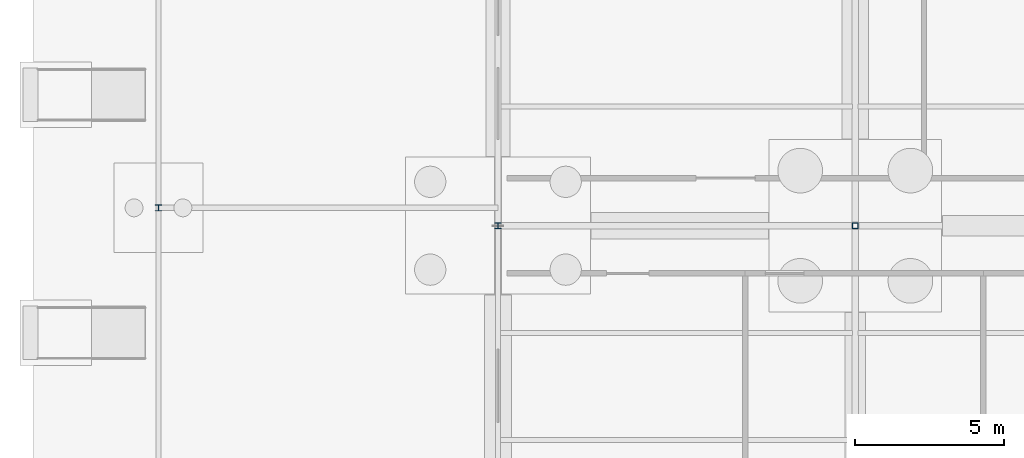
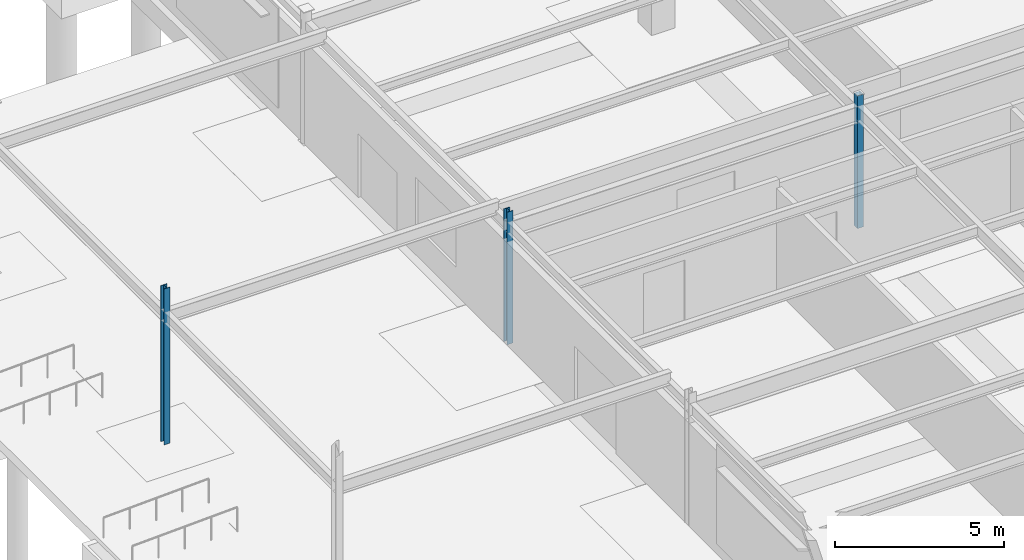
# One storey, part 12 of 136: 3 columns.
"""IFC4 building model written with IfcOpenShell, lengths in metres."""

from ifc_helpers import new_model, si_unit, direction, frame, origin, origin_2d, place, context, subcontext, project, spatial, hollow_rectangle, i_section, extrude, material, material_profile, profile_set, type_object, element, save


model = new_model("IFC4")

# Units and contexts
model_context = context("Model", 3, precision=1e-05, world=origin(), true_north=direction((0.0, 1.0)))
body_context = subcontext(model_context, "Body", "Model", "MODEL_VIEW")
ifc_project = project(units=[si_unit("LENGTHUNIT", "METRE"), si_unit("AREAUNIT", "SQUARE_METRE"), si_unit("VOLUMEUNIT", "CUBIC_METRE"), si_unit("PLANEANGLEUNIT", "RADIAN"), si_unit("MASSUNIT", "GRAM", prefix="KILO")], contexts=[model_context])

# Site, building, storey
site_placement = place(None, origin())
site = spatial("IfcSite", under=ifc_project, at=site_placement, CompositionType="ELEMENT")
building_placement = place(site_placement, origin())
building = spatial("IfcBuilding", under=site, at=building_placement, Name="Tarnwether General Hospital", CompositionType="ELEMENT")
storey_placement = place(building_placement, frame((0.0, 0.0, -4.800048828125)))
storey = spatial("IfcBuildingStorey", under=building, at=storey_placement, Name="LG", CompositionType="ELEMENT", Elevation=-4.800048828125)

# Columns
ifc_material_1 = material(Name="Steel Grade C350L0 (350 MPa)", Category="steel")
ifc_material_profile_1 = material_profile(ifc_material_1, hollow_rectangle(XDim=0.199951171875, YDim=0.199951171875, WallThickness=0.010009765625, at=origin_2d()), Name="SHS200x200x10")
ifc_profile_set_1 = profile_set([ifc_material_profile_1], Name="Steel Grade C350L0 (350 MPa)")
column_type_1 = type_object("IfcColumnType", Name="COL-15", PredefinedType="COLUMN", material=ifc_profile_set_1)
column_1_placement = place(storey_placement, frame((12.0, 21.60009765625, 0.0), z_axis=(0.0, 0.0, 1.0), x_axis=(0.0, 1.0, 0.0)))
element("IfcColumn", 1, at=column_1_placement, inside=storey, type_object=column_type_1, Name="Column COLG-LG-1200_2160", PredefinedType="COLUMN", context=body_context, shape_type="SweptSolid", body=[
    extrude(hollow_rectangle(XDim=0.199951171875, YDim=0.199951171875, WallThickness=0.010009765625, at=origin_2d()), origin(), (0.0, 0.0, 1.0), 4.800048828125),
])
ifc_material_2 = material(Name="Steel Grade 350 (350 MPa)", Category="steel")
ifc_material_profile_2 = material_profile(ifc_material_2, i_section(OverallWidth=0.205078125, OverallDepth=0.2099609375, WebThickness=0.00927734375, FlangeThickness=0.01416015625, at=origin_2d()), Name="200UC59.5")
ifc_profile_set_2 = profile_set([ifc_material_profile_2], Name="Steel Grade 350 (350 MPa)")
column_type_2 = type_object("IfcColumnType", Name="COL-25", PredefinedType="COLUMN", material=ifc_profile_set_2)
column_2_placement = place(storey_placement, frame((0.0, 21.60009765625, 0.0), z_axis=(0.0, 0.0, 1.0), x_axis=(1.0, 0.0, 0.0)))
element("IfcColumn", 2, at=column_2_placement, inside=storey, type_object=column_type_2, Name="Column COLG-LG-0_2160", PredefinedType="COLUMN", context=body_context, shape_type="SweptSolid", body=[
    extrude(i_section(OverallWidth=0.205078125, OverallDepth=0.2099609375, WebThickness=0.00927734375, FlangeThickness=0.01416015625, at=origin_2d()), origin(), (0.0, 0.0, 1.0), 4.800048828125),
])
column_3_placement = place(storey_placement, frame((-11.39990234375, 22.199951171875, 0.0), z_axis=(0.0, 0.0, 1.0), x_axis=(1.0, 0.0, 0.0)))
element("IfcColumn", 3, at=column_3_placement, inside=storey, type_object=column_type_2, Name="Column COLG-LG--1140_2220", PredefinedType="COLUMN", context=body_context, shape_type="SweptSolid", body=[
    extrude(i_section(OverallWidth=0.205078125, OverallDepth=0.2099609375, WebThickness=0.00927734375, FlangeThickness=0.01416015625, at=origin_2d()), origin(), (0.0, 0.0, 1.0), 5.650146484375),
])

save(model, "model.ifc")
